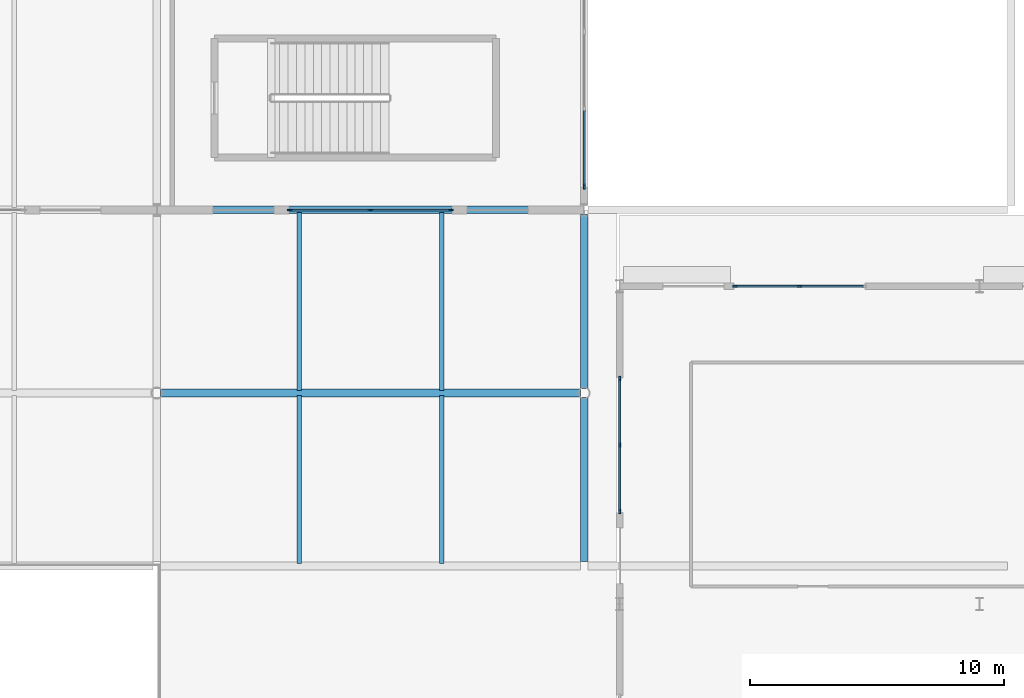
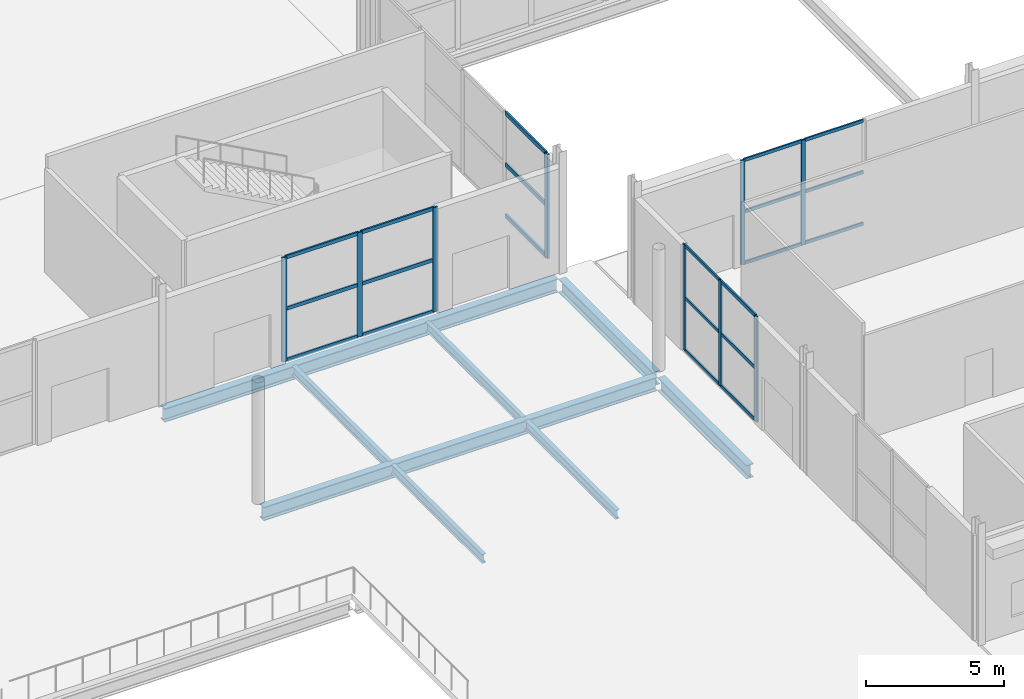
# One storey, part 40 of 87: 30 members, 8 beams, 4 elements without a shape of their own.
"""IFC4 building model written with IfcOpenShell, lengths in metres."""

from ifc_helpers import new_model, si_unit, direction, frame, origin, origin_2d, place, context, subcontext, project, spatial, rectangle, i_section, extrude, material, material_profile, profile_set, type_object, element, aggregate, save


model = new_model("IFC4")

# Units and contexts
model_context = context("Model", 3, precision=1e-05, world=origin(), true_north=direction((0.0, 1.0)))
body_context = subcontext(model_context, "Body", "Model", "MODEL_VIEW")
ifc_project = project(units=[si_unit("LENGTHUNIT", "METRE"), si_unit("AREAUNIT", "SQUARE_METRE"), si_unit("VOLUMEUNIT", "CUBIC_METRE"), si_unit("PLANEANGLEUNIT", "RADIAN"), si_unit("MASSUNIT", "GRAM", prefix="KILO")], contexts=[model_context])

# Site, building, storey
site_placement = place(None, origin())
site = spatial("IfcSite", under=ifc_project, at=site_placement, CompositionType="ELEMENT")
building_placement = place(site_placement, origin())
building = spatial("IfcBuilding", under=site, at=building_placement, Name="Kimbaza Rail Terminus", CompositionType="ELEMENT")
storey_placement = place(building_placement, origin())
storey = spatial("IfcBuildingStorey", under=building, at=storey_placement, Name="L00", CompositionType="ELEMENT", Elevation=0.0)

# Curtain wall, member
ifc_material_1 = material(Name="Anodised aluminium framing and solar low-E glazing", Category="aluminium")
curtain_wall_type_1 = type_object("IfcCurtainWallType", Name="ARC-CW-TH1", PredefinedType="USERDEFINED", material=ifc_material_1)
curtain_wall_1_placement = place(storey_placement, origin())
curtain_wall_1 = element("IfcCurtainWall", 1, at=curtain_wall_1_placement, inside=storey, type_object=curtain_wall_type_1, Name="Concourse E Return Curtain Wall L00", ObjectType="UNITISED CURTAIN WALL", PredefinedType="USERDEFINED")
ifc_material_2 = material(Name="Anodised architectural aluminium", Category="aluminium")
ifc_material_profile_1 = material_profile(ifc_material_2, rectangle(XDim=0.074951171875, YDim=0.219970703125, at=origin_2d()), Name="MULLION 75x220")
ifc_profile_set_1 = profile_set([ifc_material_profile_1], Name="Anodised architectural aluminium")
member_type_1 = type_object("IfcMemberType", Name="ARC-CWM-01", PredefinedType="MULLION", material=ifc_profile_set_1)
member_1_placement = place(storey_placement, frame((156.0, 41.91748046875, 0.0), z_axis=(0.0, 0.0, 1.0), x_axis=(-1.0, 0.0, 0.0)))
member_1 = element("IfcMember", 2, at=member_1_placement, type_object=member_type_1, Name="CW-01 mullion 1", PredefinedType="MULLION", context=body_context, shape_type="SweptSolid", body=[
    extrude(rectangle(XDim=0.074951171875, YDim=0.219970703125, at=origin_2d()), origin(), (0.0, 0.0, 1.0), 4.625),
])

# Curtain wall, members
ifc_material_3 = material(Name="Anodised aluminium framing and solar low-E glazing", Category="aluminium")
curtain_wall_type_2 = type_object("IfcCurtainWallType", Name="ARC-CW-CN1", PredefinedType="USERDEFINED", material=ifc_material_3)
curtain_wall_2_placement = place(storey_placement, origin())
curtain_wall_2 = element("IfcCurtainWall", 3, at=curtain_wall_2_placement, inside=storey, type_object=curtain_wall_type_2, Name="South Concourse Glazing L00 Bay 6", ObjectType="UNITISED CURTAIN WALL", PredefinedType="USERDEFINED")
ifc_material_4 = material(Name="Anodised architectural aluminium", Category="aluminium")
ifc_material_profile_2 = material_profile(ifc_material_4, rectangle(XDim=0.070068359375, YDim=0.199951171875, at=origin_2d()), Name="MULLION 70x200")
ifc_profile_set_2 = profile_set([ifc_material_profile_2], Name="Anodised architectural aluminium")
member_type_2 = type_object("IfcMemberType", Name="ARC-CWM-02", PredefinedType="MULLION", material=ifc_profile_set_2)
member_2_placement = place(storey_placement, frame((144.43505859375, 41.0, 0.0), z_axis=(0.0, 0.0, 1.0), x_axis=(0.0, 1.0, 0.0)))
member_2 = element("IfcMember", 4, at=member_2_placement, type_object=member_type_2, Name="CW-02 mullion 1", PredefinedType="MULLION", context=body_context, shape_type="SweptSolid", body=[
    extrude(rectangle(XDim=0.070068359375, YDim=0.199951171875, at=origin_2d()), origin(), (0.0, 0.0, 1.0), 4.625),
])
member_3_placement = place(storey_placement, frame((147.60009765625, 41.0, 0.0), z_axis=(0.0, 0.0, 1.0), x_axis=(0.0, 1.0, 0.0)))
member_3 = element("IfcMember", 5, at=member_3_placement, type_object=member_type_2, Name="CW-02 mullion 2", PredefinedType="MULLION", context=body_context, shape_type="SweptSolid", body=[
    extrude(rectangle(XDim=0.070068359375, YDim=0.199951171875, at=origin_2d()), origin(), (0.0, 0.0, 1.0), 4.625),
])
member_4_placement = place(storey_placement, frame((150.764892578125, 41.0, 0.0), z_axis=(0.0, 0.0, 1.0), x_axis=(0.0, 1.0, 0.0)))
member_4 = element("IfcMember", 6, at=member_4_placement, type_object=member_type_2, Name="CW-02 mullion 3", PredefinedType="MULLION", context=body_context, shape_type="SweptSolid", body=[
    extrude(rectangle(XDim=0.070068359375, YDim=0.199951171875, at=origin_2d()), origin(), (0.0, 0.0, 1.0), 4.625),
])

ifc_material_5 = material(Name="Anodised aluminium framing and solar low-E glazing", Category="aluminium")
curtain_wall_type_3 = type_object("IfcCurtainWallType", Name="ARC-CW-PV1", PredefinedType="USERDEFINED", material=ifc_material_5)
curtain_wall_3_placement = place(storey_placement, origin())
curtain_wall_3 = element("IfcCurtainWall", 7, at=curtain_wall_3_placement, inside=storey, type_object=curtain_wall_type_3, Name="Pavilion N Curtain Wall L00.1", ObjectType="STICK CURTAIN WALL", PredefinedType="USERDEFINED")
ifc_material_6 = material(Name="Anodised architectural aluminium", Category="aluminium")
ifc_material_profile_3 = material_profile(ifc_material_6, rectangle(XDim=0.06494140625, YDim=0.175048828125, at=origin_2d()), Name="MULLION 65x175")
ifc_profile_set_3 = profile_set([ifc_material_profile_3], Name="Anodised architectural aluminium")
member_type_3 = type_object("IfcMemberType", Name="ARC-CWM-04", PredefinedType="MULLION", material=ifc_profile_set_3)
member_5_placement = place(storey_placement, frame((161.9326171875, 38.0, 0.0), z_axis=(0.0, 0.0, 1.0), x_axis=(0.0, 1.0, 0.0)))
member_5 = element("IfcMember", 8, at=member_5_placement, type_object=member_type_3, Name="CW-04 mullion 1", PredefinedType="MULLION", context=body_context, shape_type="SweptSolid", body=[
    extrude(rectangle(XDim=0.06494140625, YDim=0.175048828125, at=origin_2d()), origin(), (0.0, 0.0, 1.0), 4.625),
])
member_6_placement = place(storey_placement, frame((164.47509765625, 38.0, 0.0), z_axis=(0.0, 0.0, 1.0), x_axis=(0.0, 1.0, 0.0)))
member_6 = element("IfcMember", 9, at=member_6_placement, type_object=member_type_3, Name="CW-04 mullion 2", PredefinedType="MULLION", context=body_context, shape_type="SweptSolid", body=[
    extrude(rectangle(XDim=0.06494140625, YDim=0.175048828125, at=origin_2d()), origin(), (0.0, 0.0, 1.0), 4.625),
])

curtain_wall_4_placement = place(storey_placement, origin())
curtain_wall_4 = element("IfcCurtainWall", 10, at=curtain_wall_4_placement, inside=storey, type_object=curtain_wall_type_3, Name="Pavilion W Curtain Wall L00.2", ObjectType="STICK CURTAIN WALL", PredefinedType="USERDEFINED")
member_7_placement = place(storey_placement, frame((157.39990234375, 29.132568359375, 0.0), z_axis=(0.0, 0.0, 1.0), x_axis=(-1.0, 0.0, 0.0)))
member_7 = element("IfcMember", 11, at=member_7_placement, type_object=member_type_3, Name="CW-04 mullion 1", PredefinedType="MULLION", context=body_context, shape_type="SweptSolid", body=[
    extrude(rectangle(XDim=0.06494140625, YDim=0.175048828125, at=origin_2d()), origin(), (0.0, 0.0, 1.0), 4.675048828125),
])
member_8_placement = place(storey_placement, frame((157.39990234375, 31.75, 0.0), z_axis=(0.0, 0.0, 1.0), x_axis=(-1.0, 0.0, 0.0)))
member_8 = element("IfcMember", 12, at=member_8_placement, type_object=member_type_3, Name="CW-04 mullion 2", PredefinedType="MULLION", context=body_context, shape_type="SweptSolid", body=[
    extrude(rectangle(XDim=0.06494140625, YDim=0.175048828125, at=origin_2d()), origin(), (0.0, 0.0, 1.0), 4.675048828125),
])
member_9_placement = place(storey_placement, frame((157.39990234375, 34.367431640625, 0.0), z_axis=(0.0, 0.0, 1.0), x_axis=(-1.0, 0.0, 0.0)))
member_9 = element("IfcMember", 13, at=member_9_placement, type_object=member_type_3, Name="CW-04 mullion 3", PredefinedType="MULLION", context=body_context, shape_type="SweptSolid", body=[
    extrude(rectangle(XDim=0.06494140625, YDim=0.175048828125, at=origin_2d()), origin(), (0.0, 0.0, 1.0), 4.675048828125),
])

# Member
ifc_material_7 = material(Name="Anodised architectural aluminium", Category="aluminium")
ifc_material_profile_4 = material_profile(ifc_material_7, rectangle(XDim=0.074951171875, YDim=0.179931640625, at=origin_2d()), Name="TRANSOM 75x180")
ifc_profile_set_4 = profile_set([ifc_material_profile_4], Name="Anodised architectural aluminium")
member_type_4 = type_object("IfcMemberType", Name="ARC-CWT-01", PredefinedType="USERDEFINED", material=ifc_profile_set_4)
member_10_placement = place(storey_placement, frame((156.0, 41.955078125, 0.03759765625), z_axis=(0.0, 1.0, 0.0), x_axis=(-1.0, 0.0, 0.0)))
member_10 = element("IfcMember", 14, at=member_10_placement, type_object=member_type_4, Name="CW-01 transom 1.1", ObjectType="TRANSOM", PredefinedType="USERDEFINED", context=body_context, shape_type="SweptSolid", body=[
    extrude(rectangle(XDim=0.074951171875, YDim=0.179931640625, at=origin_2d()), origin(), (0.0, 0.0, 1.0), 2.952392578125),
])

member_11_placement = place(storey_placement, frame((156.0, 41.955078125, 2.3125), z_axis=(0.0, 1.0, 0.0), x_axis=(-1.0, 0.0, 0.0)))
member_11 = element("IfcMember", 15, at=member_11_placement, type_object=member_type_4, Name="CW-01 transom 1.2", ObjectType="TRANSOM", PredefinedType="USERDEFINED", context=body_context, shape_type="SweptSolid", body=[
    extrude(rectangle(XDim=0.074951171875, YDim=0.179931640625, at=origin_2d()), origin(), (0.0, 0.0, 1.0), 2.952392578125),
])

member_12_placement = place(storey_placement, frame((156.0, 41.955078125, 4.58740234375), z_axis=(0.0, 1.0, 0.0), x_axis=(-1.0, 0.0, 0.0)))
member_12 = element("IfcMember", 16, at=member_12_placement, type_object=member_type_4, Name="CW-01 transom 1.3", ObjectType="TRANSOM", PredefinedType="USERDEFINED", context=body_context, shape_type="SweptSolid", body=[
    extrude(rectangle(XDim=0.074951171875, YDim=0.179931640625, at=origin_2d()), origin(), (0.0, 0.0, 1.0), 2.952392578125),
])

aggregate(curtain_wall_1, [member_1, member_10, member_11, member_12])

ifc_material_8 = material(Name="Anodised architectural aluminium", Category="aluminium")
ifc_material_profile_5 = material_profile(ifc_material_8, rectangle(XDim=0.070068359375, YDim=0.159912109375, at=origin_2d()), Name="TRANSOM 70x160")
ifc_profile_set_5 = profile_set([ifc_material_profile_5], Name="Anodised architectural aluminium")
member_type_5 = type_object("IfcMemberType", Name="ARC-CWT-02", PredefinedType="USERDEFINED", material=ifc_profile_set_5)
member_13_placement = place(storey_placement, frame((144.469970703125, 41.0, 0.034912109375), z_axis=(1.0, 0.0, 0.0), x_axis=(0.0, 1.0, 0.0)))
member_13 = element("IfcMember", 17, at=member_13_placement, type_object=member_type_5, Name="CW-02 transom 1.1", ObjectType="TRANSOM", PredefinedType="USERDEFINED", context=body_context, shape_type="SweptSolid", body=[
    extrude(rectangle(XDim=0.070068359375, YDim=0.159912109375, at=origin_2d()), origin(), (0.0, 0.0, 1.0), 3.094970703125),
])

member_14_placement = place(storey_placement, frame((144.469970703125, 41.0, 2.3125), z_axis=(1.0, 0.0, 0.0), x_axis=(0.0, 1.0, 0.0)))
member_14 = element("IfcMember", 18, at=member_14_placement, type_object=member_type_5, Name="CW-02 transom 1.2", ObjectType="TRANSOM", PredefinedType="USERDEFINED", context=body_context, shape_type="SweptSolid", body=[
    extrude(rectangle(XDim=0.070068359375, YDim=0.159912109375, at=origin_2d()), origin(), (0.0, 0.0, 1.0), 3.094970703125),
])

member_15_placement = place(storey_placement, frame((144.469970703125, 41.0, 4.590087890625), z_axis=(1.0, 0.0, 0.0), x_axis=(0.0, 1.0, 0.0)))
member_15 = element("IfcMember", 19, at=member_15_placement, type_object=member_type_5, Name="CW-02 transom 1.3", ObjectType="TRANSOM", PredefinedType="USERDEFINED", context=body_context, shape_type="SweptSolid", body=[
    extrude(rectangle(XDim=0.070068359375, YDim=0.159912109375, at=origin_2d()), origin(), (0.0, 0.0, 1.0), 3.094970703125),
])

member_16_placement = place(storey_placement, frame((147.635009765625, 41.0, 0.034912109375), z_axis=(1.0, 0.0, 0.0), x_axis=(0.0, 1.0, 0.0)))
member_16 = element("IfcMember", 20, at=member_16_placement, type_object=member_type_5, Name="CW-02 transom 2.1", ObjectType="TRANSOM", PredefinedType="USERDEFINED", context=body_context, shape_type="SweptSolid", body=[
    extrude(rectangle(XDim=0.070068359375, YDim=0.159912109375, at=origin_2d()), origin(), (0.0, 0.0, 1.0), 3.094970703125),
])

member_17_placement = place(storey_placement, frame((147.635009765625, 41.0, 2.3125), z_axis=(1.0, 0.0, 0.0), x_axis=(0.0, 1.0, 0.0)))
member_17 = element("IfcMember", 21, at=member_17_placement, type_object=member_type_5, Name="CW-02 transom 2.2", ObjectType="TRANSOM", PredefinedType="USERDEFINED", context=body_context, shape_type="SweptSolid", body=[
    extrude(rectangle(XDim=0.070068359375, YDim=0.159912109375, at=origin_2d()), origin(), (0.0, 0.0, 1.0), 3.094970703125),
])

member_18_placement = place(storey_placement, frame((147.635009765625, 41.0, 4.590087890625), z_axis=(1.0, 0.0, 0.0), x_axis=(0.0, 1.0, 0.0)))
member_18 = element("IfcMember", 22, at=member_18_placement, type_object=member_type_5, Name="CW-02 transom 2.3", ObjectType="TRANSOM", PredefinedType="USERDEFINED", context=body_context, shape_type="SweptSolid", body=[
    extrude(rectangle(XDim=0.070068359375, YDim=0.159912109375, at=origin_2d()), origin(), (0.0, 0.0, 1.0), 3.094970703125),
])

aggregate(curtain_wall_2, [member_2, member_3, member_4, member_13, member_14, member_15, member_16, member_17, member_18])

ifc_material_9 = material(Name="Anodised architectural aluminium", Category="aluminium")
ifc_material_profile_6 = material_profile(ifc_material_9, rectangle(XDim=0.06494140625, YDim=0.139892578125, at=origin_2d()), Name="TRANSOM 65x140")
ifc_profile_set_6 = profile_set([ifc_material_profile_6], Name="Anodised architectural aluminium")
member_type_6 = type_object("IfcMemberType", Name="ARC-CWT-04", PredefinedType="USERDEFINED", material=ifc_profile_set_6)
member_19_placement = place(storey_placement, frame((161.965087890625, 38.0, 0.032470703125), z_axis=(1.0, 0.0, 0.0), x_axis=(0.0, 1.0, 0.0)))
member_19 = element("IfcMember", 23, at=member_19_placement, type_object=member_type_6, Name="CW-04 transom 1.1", ObjectType="TRANSOM", PredefinedType="USERDEFINED", context=body_context, shape_type="SweptSolid", body=[
    extrude(rectangle(XDim=0.06494140625, YDim=0.139892578125, at=origin_2d()), origin(), (0.0, 0.0, 1.0), 2.477294921875),
])

member_20_placement = place(storey_placement, frame((161.965087890625, 38.0, 2.3125), z_axis=(1.0, 0.0, 0.0), x_axis=(0.0, 1.0, 0.0)))
member_20 = element("IfcMember", 24, at=member_20_placement, type_object=member_type_6, Name="CW-04 transom 1.2", ObjectType="TRANSOM", PredefinedType="USERDEFINED", context=body_context, shape_type="SweptSolid", body=[
    extrude(rectangle(XDim=0.06494140625, YDim=0.139892578125, at=origin_2d()), origin(), (0.0, 0.0, 1.0), 2.477294921875),
])

member_21_placement = place(storey_placement, frame((161.965087890625, 38.0, 4.592529296875), z_axis=(1.0, 0.0, 0.0), x_axis=(0.0, 1.0, 0.0)))
member_21 = element("IfcMember", 25, at=member_21_placement, type_object=member_type_6, Name="CW-04 transom 1.3", ObjectType="TRANSOM", PredefinedType="USERDEFINED", context=body_context, shape_type="SweptSolid", body=[
    extrude(rectangle(XDim=0.06494140625, YDim=0.139892578125, at=origin_2d()), origin(), (0.0, 0.0, 1.0), 2.477294921875),
])

member_22_placement = place(storey_placement, frame((164.507568359375, 38.0, 0.032470703125), z_axis=(1.0, 0.0, 0.0), x_axis=(0.0, 1.0, 0.0)))
member_22 = element("IfcMember", 26, at=member_22_placement, type_object=member_type_6, Name="CW-04 transom 2.1", ObjectType="TRANSOM", PredefinedType="USERDEFINED", context=body_context, shape_type="SweptSolid", body=[
    extrude(rectangle(XDim=0.06494140625, YDim=0.139892578125, at=origin_2d()), origin(), (0.0, 0.0, 1.0), 2.4775390625),
])

member_23_placement = place(storey_placement, frame((164.507568359375, 38.0, 2.3125), z_axis=(1.0, 0.0, 0.0), x_axis=(0.0, 1.0, 0.0)))
member_23 = element("IfcMember", 27, at=member_23_placement, type_object=member_type_6, Name="CW-04 transom 2.2", ObjectType="TRANSOM", PredefinedType="USERDEFINED", context=body_context, shape_type="SweptSolid", body=[
    extrude(rectangle(XDim=0.06494140625, YDim=0.139892578125, at=origin_2d()), origin(), (0.0, 0.0, 1.0), 2.4775390625),
])

member_24_placement = place(storey_placement, frame((164.507568359375, 38.0, 4.592529296875), z_axis=(1.0, 0.0, 0.0), x_axis=(0.0, 1.0, 0.0)))
member_24 = element("IfcMember", 28, at=member_24_placement, type_object=member_type_6, Name="CW-04 transom 2.3", ObjectType="TRANSOM", PredefinedType="USERDEFINED", context=body_context, shape_type="SweptSolid", body=[
    extrude(rectangle(XDim=0.06494140625, YDim=0.139892578125, at=origin_2d()), origin(), (0.0, 0.0, 1.0), 2.4775390625),
])

aggregate(curtain_wall_3, [member_5, member_6, member_19, member_20, member_21, member_22, member_23, member_24])

member_25_placement = place(storey_placement, frame((157.39990234375, 29.1650390625, 0.032470703125), z_axis=(0.0, 1.0, 0.0), x_axis=(-1.0, 0.0, 0.0)))
member_25 = element("IfcMember", 29, at=member_25_placement, type_object=member_type_6, Name="CW-04 transom 1.1", ObjectType="TRANSOM", PredefinedType="USERDEFINED", context=body_context, shape_type="SweptSolid", body=[
    extrude(rectangle(XDim=0.06494140625, YDim=0.139892578125, at=origin_2d()), origin(), (0.0, 0.0, 1.0), 2.552490234375),
])

member_26_placement = place(storey_placement, frame((157.39990234375, 29.1650390625, 2.33740234375), z_axis=(0.0, 1.0, 0.0), x_axis=(-1.0, 0.0, 0.0)))
member_26 = element("IfcMember", 30, at=member_26_placement, type_object=member_type_6, Name="CW-04 transom 1.2", ObjectType="TRANSOM", PredefinedType="USERDEFINED", context=body_context, shape_type="SweptSolid", body=[
    extrude(rectangle(XDim=0.06494140625, YDim=0.139892578125, at=origin_2d()), origin(), (0.0, 0.0, 1.0), 2.552490234375),
])

member_27_placement = place(storey_placement, frame((157.39990234375, 29.1650390625, 4.642578125), z_axis=(0.0, 1.0, 0.0), x_axis=(-1.0, 0.0, 0.0)))
member_27 = element("IfcMember", 31, at=member_27_placement, type_object=member_type_6, Name="CW-04 transom 1.3", ObjectType="TRANSOM", PredefinedType="USERDEFINED", context=body_context, shape_type="SweptSolid", body=[
    extrude(rectangle(XDim=0.06494140625, YDim=0.139892578125, at=origin_2d()), origin(), (0.0, 0.0, 1.0), 2.552490234375),
])

member_28_placement = place(storey_placement, frame((157.39990234375, 31.782470703125, 0.032470703125), z_axis=(0.0, 1.0, 0.0), x_axis=(-1.0, 0.0, 0.0)))
member_28 = element("IfcMember", 32, at=member_28_placement, type_object=member_type_6, Name="CW-04 transom 2.1", ObjectType="TRANSOM", PredefinedType="USERDEFINED", context=body_context, shape_type="SweptSolid", body=[
    extrude(rectangle(XDim=0.06494140625, YDim=0.139892578125, at=origin_2d()), origin(), (0.0, 0.0, 1.0), 2.552490234375),
])

member_29_placement = place(storey_placement, frame((157.39990234375, 31.782470703125, 2.33740234375), z_axis=(0.0, 1.0, 0.0), x_axis=(-1.0, 0.0, 0.0)))
member_29 = element("IfcMember", 33, at=member_29_placement, type_object=member_type_6, Name="CW-04 transom 2.2", ObjectType="TRANSOM", PredefinedType="USERDEFINED", context=body_context, shape_type="SweptSolid", body=[
    extrude(rectangle(XDim=0.06494140625, YDim=0.139892578125, at=origin_2d()), origin(), (0.0, 0.0, 1.0), 2.552490234375),
])

member_30_placement = place(storey_placement, frame((157.39990234375, 31.782470703125, 4.642578125), z_axis=(0.0, 1.0, 0.0), x_axis=(-1.0, 0.0, 0.0)))
member_30 = element("IfcMember", 34, at=member_30_placement, type_object=member_type_6, Name="CW-04 transom 2.3", ObjectType="TRANSOM", PredefinedType="USERDEFINED", context=body_context, shape_type="SweptSolid", body=[
    extrude(rectangle(XDim=0.06494140625, YDim=0.139892578125, at=origin_2d()), origin(), (0.0, 0.0, 1.0), 2.552490234375),
])

aggregate(curtain_wall_4, [member_7, member_8, member_9, member_25, member_26, member_27, member_28, member_29, member_30])

# Beams
ifc_material_10 = material(Name="Steel S355", Category="steel")
ifc_material_profile_7 = material_profile(ifc_material_10, i_section(OverallWidth=0.300048828125, OverallDepth=0.60009765625, WebThickness=0.015380859375, FlangeThickness=0.030029296875, FilletRadius=0.027099609375, at=origin_2d()), Name="HEB 600")
ifc_profile_set_7 = profile_set([ifc_material_profile_7], Name="Steel S355")
beam_type_1 = type_object("IfcBeamType", Name="STR-BM-HEB600", PredefinedType="BEAM", material=ifc_profile_set_7)
beam_1_placement = place(storey_placement, frame((156.0, 27.175048828125, -0.550048828125), z_axis=(0.0, 1.0, 0.0), x_axis=(-1.0, 0.0, 0.0)))
element("IfcBeam", 35, at=beam_1_placement, inside=storey, type_object=beam_type_1, Name="Beam BM-V2Y-L00-6-27", PredefinedType="BEAM", context=body_context, shape_type="SweptSolid", body=[
    extrude(i_section(OverallWidth=0.300048828125, OverallDepth=0.60009765625, WebThickness=0.015380859375, FlangeThickness=0.030029296875, FilletRadius=0.027099609375, at=origin_2d()), origin(), (0.0, 0.0, 1.0), 6.449951171875),
])
beam_2_placement = place(storey_placement, frame((156.0, 33.97509765625, -0.550048828125), z_axis=(0.0, 1.0, 0.0), x_axis=(-1.0, 0.0, 0.0)))
element("IfcBeam", 36, at=beam_2_placement, inside=storey, type_object=beam_type_1, Name="Beam BM-V2Y-L00-6-34", PredefinedType="BEAM", context=body_context, shape_type="SweptSolid", body=[
    extrude(i_section(OverallWidth=0.300048828125, OverallDepth=0.60009765625, WebThickness=0.015380859375, FlangeThickness=0.030029296875, FilletRadius=0.027099609375, at=origin_2d()), origin(), (0.0, 0.0, 1.0), 6.849853515625),
])
for number, where, z_axis, x_axis, name in (
    (37, (139.345947265625, 33.800048828125, -0.550048828125), (1.0, 0.0, 0.0), (0.0, 1.0, 0.0), "Beam BM-V2X-L00-1-5"),
    (38, (139.345947265625, 41.0, -0.550048828125), (1.0, 0.0, 0.0), (0.0, 1.0, 0.0), "Beam BM-V2X-L00-2-5"),
):
    element("IfcBeam", number, at=place(storey_placement, frame(where, z_axis=z_axis, x_axis=x_axis)), inside=storey, type_object=beam_type_1, Name=name, PredefinedType="BEAM", context=body_context, shape_type="SweptSolid", body=[
        extrude(i_section(OverallWidth=0.300048828125, OverallDepth=0.60009765625, WebThickness=0.015380859375, FlangeThickness=0.030029296875, FilletRadius=0.027099609375, at=origin_2d()), origin(), (0.0, 0.0, 1.0), 16.508056640625),
    ])
ifc_material_11 = material(Name="Steel S355", Category="steel")
ifc_material_profile_8 = material_profile(ifc_material_11, i_section(OverallWidth=0.179931640625, OverallDepth=0.39990234375, WebThickness=0.008544921875, FlangeThickness=0.013427734375, FilletRadius=0.02099609375, at=origin_2d()), Name="IPE 400")
ifc_profile_set_8 = profile_set([ifc_material_profile_8], Name="Steel S355")
beam_type_2 = type_object("IfcBeamType", Name="STR-BM-IPE400", PredefinedType="JOIST", material=ifc_profile_set_8)
beam_3_placement = place(storey_placement, frame((144.800048828125, 27.10009765625, -0.449951171875), z_axis=(0.0, 1.0, 0.0), x_axis=(-1.0, 0.0, 0.0)))
element("IfcBeam", 39, at=beam_3_placement, inside=storey, type_object=beam_type_2, Name="Beam JST-V2-L00-6-1-27", PredefinedType="JOIST", context=body_context, shape_type="SweptSolid", body=[
    extrude(i_section(OverallWidth=0.179931640625, OverallDepth=0.39990234375, WebThickness=0.008544921875, FlangeThickness=0.013427734375, FilletRadius=0.02099609375, at=origin_2d()), origin(), (0.0, 0.0, 1.0), 6.599853515625),
])
beam_4_placement = place(storey_placement, frame((144.800048828125, 33.89990234375, -0.449951171875), z_axis=(0.0, 1.0, 0.0), x_axis=(-1.0, 0.0, 0.0)))
element("IfcBeam", 40, at=beam_4_placement, inside=storey, type_object=beam_type_2, Name="Beam JST-V2-L00-6-1-34", PredefinedType="JOIST", context=body_context, shape_type="SweptSolid", body=[
    extrude(i_section(OverallWidth=0.179931640625, OverallDepth=0.39990234375, WebThickness=0.008544921875, FlangeThickness=0.013427734375, FilletRadius=0.02099609375, at=origin_2d()), origin(), (0.0, 0.0, 1.0), 7.0),
])
beam_5_placement = place(storey_placement, frame((150.39990234375, 27.10009765625, -0.449951171875), z_axis=(0.0, 1.0, 0.0), x_axis=(-1.0, 0.0, 0.0)))
element("IfcBeam", 41, at=beam_5_placement, inside=storey, type_object=beam_type_2, Name="Beam JST-V2-L00-6-2-27", PredefinedType="JOIST", context=body_context, shape_type="SweptSolid", body=[
    extrude(i_section(OverallWidth=0.179931640625, OverallDepth=0.39990234375, WebThickness=0.008544921875, FlangeThickness=0.013427734375, FilletRadius=0.02099609375, at=origin_2d()), origin(), (0.0, 0.0, 1.0), 6.599853515625),
])
beam_6_placement = place(storey_placement, frame((150.39990234375, 33.89990234375, -0.449951171875), z_axis=(0.0, 1.0, 0.0), x_axis=(-1.0, 0.0, 0.0)))
element("IfcBeam", 42, at=beam_6_placement, inside=storey, type_object=beam_type_2, Name="Beam JST-V2-L00-6-2-34", PredefinedType="JOIST", context=body_context, shape_type="SweptSolid", body=[
    extrude(i_section(OverallWidth=0.179931640625, OverallDepth=0.39990234375, WebThickness=0.008544921875, FlangeThickness=0.013427734375, FilletRadius=0.02099609375, at=origin_2d()), origin(), (0.0, 0.0, 1.0), 7.0),
])

save(model, "model.ifc")
